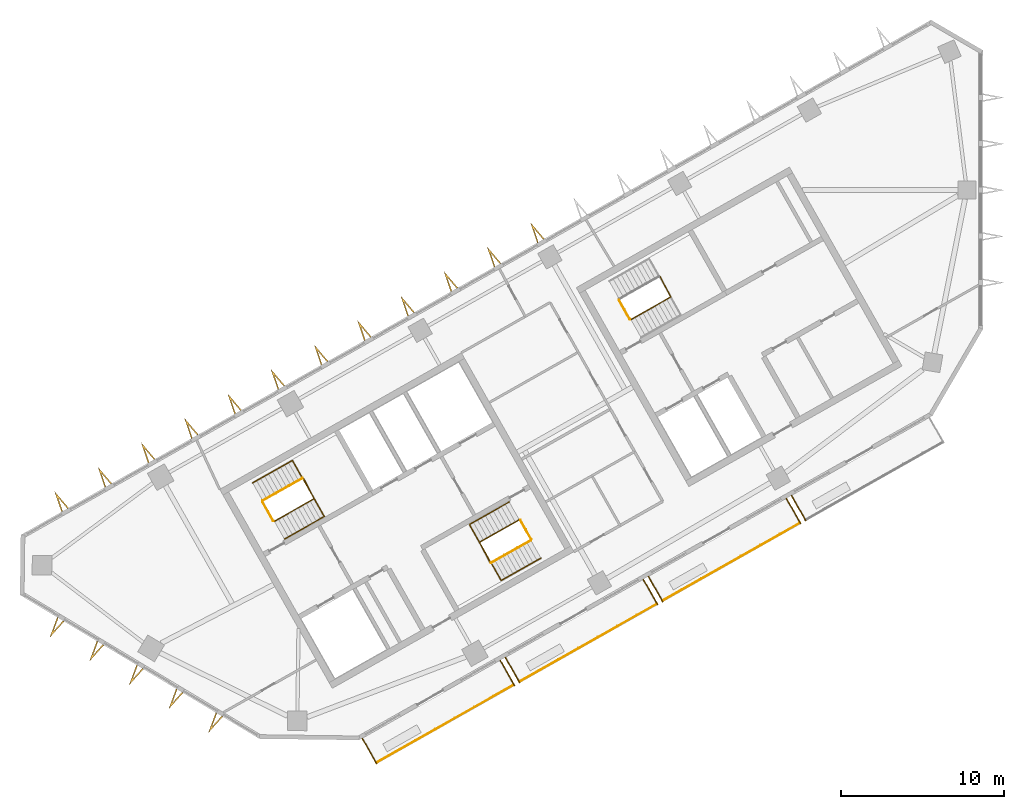
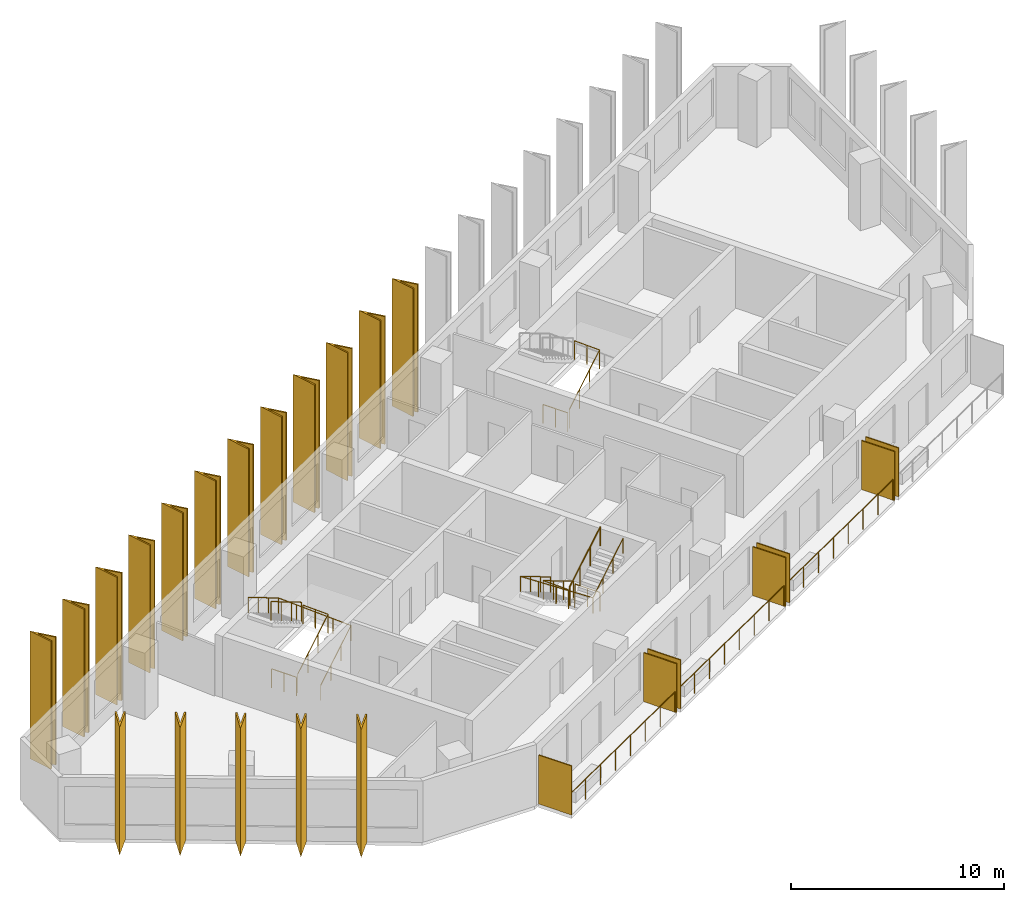
# One storey, part 6 of 8: 24 shading devices, 13 railings.
"""IFC4 building model written with IfcOpenShell, lengths in metres."""

from ifc_helpers import new_model, si_unit, direction, frame, origin, origin_2d, place, context, subcontext, project, spatial, polyline, rectangle, circle, outline, extrude, material, layer, layer_set, type_object, element, save


model = new_model("IFC4")

# Units and contexts
model_context = context("Model", 3, precision=1e-05, world=origin(), true_north=direction((0.0, 1.0)))
body_context = subcontext(model_context, "Body", "Model", "MODEL_VIEW")
ifc_project = project(units=[si_unit("LENGTHUNIT", "METRE"), si_unit("AREAUNIT", "SQUARE_METRE"), si_unit("VOLUMEUNIT", "CUBIC_METRE"), si_unit("PLANEANGLEUNIT", "RADIAN"), si_unit("MASSUNIT", "GRAM", prefix="KILO")], contexts=[model_context])

# Site, building, storey
site_placement = place(None, origin())
site = spatial("IfcSite", under=ifc_project, at=site_placement, CompositionType="ELEMENT")
building_placement = place(site_placement, origin())
building = spatial("IfcBuilding", under=site, at=building_placement, Name="Binnacle Exchange Tower", CompositionType="ELEMENT")
storey_placement = place(building_placement, frame((0.0, 0.0, 270.300048828125)))
storey = spatial("IfcBuildingStorey", under=building, at=storey_placement, Name="L60", CompositionType="ELEMENT", Elevation=270.300048828125)

# Railings
ifc_material_1 = material(Name="Bronze anodised aluminium frame", Category="aluminium")
railing_type_1 = type_object("IfcRailingType", Name="GUARD 1200", PredefinedType="GUARDRAIL", material=ifc_material_1)
for number, where, name in (
    (1, (-37.006591796875, 24.94287109375, 0.0), "Balcony guard H07-B00 L60"),
    (2, (-28.24365234375, 29.900634765625, 0.0), "Balcony guard H07-B01 L60"),
):
    element("IfcRailing", number, at=place(storey_placement, frame(where)), inside=storey, type_object=railing_type_1, Name=name, PredefinedType="GUARDRAIL", context=body_context, shape_type="SweptSolid", body=[
        extrude(circle(Radius=0.02392578125, at=origin_2d()), frame((0.0, 0.0, 1.17578125), z_axis=(0.870359171481, 0.492417417055, 0.0), x_axis=(-0.492417417055, 0.870359171481, 0.0)), (0.0, 0.0, 1.0), 9.648193359375),
        extrude(circle(Radius=0.02099609375, at=origin_2d()), origin(), (0.0, 0.0, 1.0), 1.15185546875),
        extrude(circle(Radius=0.02099609375, at=origin_2d()), frame((1.19970703125, 0.6787109375, 0.0)), (0.0, 0.0, 1.0), 1.15185546875),
        extrude(circle(Radius=0.02099609375, at=origin_2d()), frame((2.399169921875, 1.357421875, 0.0)), (0.0, 0.0, 1.0), 1.15185546875),
        extrude(circle(Radius=0.02099609375, at=origin_2d()), frame((3.598876953125, 2.0361328125, 0.0)), (0.0, 0.0, 1.0), 1.15185546875),
        extrude(circle(Radius=0.02099609375, at=origin_2d()), frame((4.798583984375, 2.71484375, 0.0)), (0.0, 0.0, 1.0), 1.15185546875),
        extrude(circle(Radius=0.02099609375, at=origin_2d()), frame((5.998291015625, 3.3935546875, 0.0)), (0.0, 0.0, 1.0), 1.15185546875),
        extrude(circle(Radius=0.02099609375, at=origin_2d()), frame((7.19775390625, 4.072265625, 0.0)), (0.0, 0.0, 1.0), 1.15185546875),
        extrude(circle(Radius=0.02099609375, at=origin_2d()), frame((8.3974609375, 4.7509765625, 0.0)), (0.0, 0.0, 1.0), 1.15185546875),
    ])
railing_1_placement = place(storey_placement, frame((-19.480712890625, 34.8583984375, 0.0)))
element("IfcRailing", 3, at=railing_1_placement, inside=storey, type_object=railing_type_1, Name="Balcony guard H07-B02 L60", PredefinedType="GUARDRAIL", context=body_context, shape_type="SweptSolid", body=[
    extrude(circle(Radius=0.02392578125, at=origin_2d()), frame((0.0, 0.0, 1.17578125), z_axis=(0.870342190373, 0.492447430349, 0.0), x_axis=(-0.492447430349, 0.870342190373, 0.0)), (0.0, 0.0, 1.0), 9.648193359375),
    extrude(circle(Radius=0.02099609375, at=origin_2d()), origin(), (0.0, 0.0, 1.0), 1.15185546875),
    extrude(circle(Radius=0.02099609375, at=origin_2d()), frame((1.19970703125, 0.6787109375, 0.0)), (0.0, 0.0, 1.0), 1.15185546875),
    extrude(circle(Radius=0.02099609375, at=origin_2d()), frame((2.399169921875, 1.357421875, 0.0)), (0.0, 0.0, 1.0), 1.15185546875),
    extrude(circle(Radius=0.02099609375, at=origin_2d()), frame((3.598876953125, 2.0361328125, 0.0)), (0.0, 0.0, 1.0), 1.15185546875),
    extrude(circle(Radius=0.02099609375, at=origin_2d()), frame((4.79833984375, 2.715087890625, 0.0)), (0.0, 0.0, 1.0), 1.15185546875),
    extrude(circle(Radius=0.02099609375, at=origin_2d()), frame((5.998046875, 3.393798828125, 0.0)), (0.0, 0.0, 1.0), 1.15185546875),
    extrude(circle(Radius=0.02099609375, at=origin_2d()), frame((7.197509765625, 4.072509765625, 0.0)), (0.0, 0.0, 1.0), 1.15185546875),
    extrude(circle(Radius=0.02099609375, at=origin_2d()), frame((8.397216796875, 4.751220703125, 0.0)), (0.0, 0.0, 1.0), 1.15185546875),
])

# Shading devices
ifc_material_2 = material(Name="Bronze aluminium louvre", Category="aluminium")
ifc_layer = layer(ifc_material_2, 0.06005859375)
ifc_layer_set = layer_set([ifc_layer], Name="PLANTED SCREEN 60x2800")
shading_device_type_1 = type_object("IfcShadingDeviceType", Name="PLANTED SCREEN 60x2800", PredefinedType="USERDEFINED", material=ifc_layer_set)
for number, where, z_axis, x_axis, name in (
    (4, (-37.436279296875, 25.641845703125, 0.0), (0.0, 0.0, 1.0), (0.87035569594, 0.492423560103, 0.0), "Planted screen H07-B00a L60"),
    (5, (-28.98681640625, 30.42236328125, 0.0), (0.0, 0.0, 1.0), (0.87035569594, 0.492423560103, 0.0), "Planted screen H07-B00b L60"),
    (6, (-28.673583984375, 30.599609375, 0.0), (0.0, 0.0, 1.0), (0.87035569594, 0.492423560103, 0.0), "Planted screen H07-B01a L60"),
    (7, (-20.223876953125, 35.380126953125, 0.0), (0.0, 0.0, 1.0), (0.87035569594, 0.492423560103, 0.0), "Planted screen H07-B01b L60"),
    (8, (-19.91064453125, 35.5576171875, 0.0), (0.0, 0.0, 1.0), (0.87035569594, 0.492423560103, 0.0), "Planted screen H07-B02a L60"),
    (9, (-11.461181640625, 40.337890625, 0.0), (0.0, 0.0, 1.0), (0.87035569594, 0.492423560103, 0.0), "Planted screen H07-B02b L60"),
    (10, (-11.147705078125, 40.51513671875, 0.0), (0.0, 0.0, 1.0), (0.87035569594, 0.492423560103, 0.0), "Planted screen H07-B03a L60"),
):
    element("IfcShadingDevice", number, at=place(storey_placement, frame(where, z_axis=z_axis, x_axis=x_axis)), inside=storey, type_object=shading_device_type_1, Name=name, ObjectType="SCREEN", PredefinedType="USERDEFINED", context=body_context, shape_type="SweptSolid", body=[
        extrude(rectangle(XDim=0.06005859375, YDim=1.800048828125, at=origin_2d()), origin(), (0.0, 0.0, 1.0), 2.800048828125),
    ])

# Railings
ifc_material_3 = material(Name="Steel guard rail", Category="steel")
railing_type_2 = type_object("IfcRailingType", Name="STAIR GUARD 1100", PredefinedType="GUARDRAIL", material=ifc_material_3)
railing_2_placement = place(storey_placement, frame((-43.26171875, 39.71728515625, 0.172607421875)))
element("IfcRailing", 11, at=railing_2_placement, inside=storey, type_object=railing_type_2, Name="L60 STA1 stair guard 1", PredefinedType="GUARDRAIL", context=body_context, shape_type="SweptSolid", body=[
    extrude(circle(Radius=0.02392578125, at=origin_2d()), frame((0.0, 0.0, 1.076171875), z_axis=(0.740737961854, 0.419123222656, 0.525017138862), x_axis=(-0.492453686477, 0.870338650569, 0.0)), (0.0, 0.0, 1.0), 3.2900390625),
    extrude(circle(Radius=0.02392578125, at=origin_2d()), frame((2.43701171875, 1.37890625, 2.80322265625), z_axis=(-0.461100321709, 0.887348011391, 0.0), x_axis=(-0.887348011391, -0.461100321709, 0.0)), (0.0, 0.0, 1.0), 1.40087890625),
    extrude(circle(Radius=0.02099609375, at=origin_2d()), origin(), (0.0, 0.0, 1.0), 1.052001953125),
    extrude(circle(Radius=0.02099609375, at=origin_2d()), frame((0.812255859375, 0.459716796875, 0.57568359375)), (0.0, 0.0, 1.0), 1.052001953125),
    extrude(circle(Radius=0.02099609375, at=origin_2d()), frame((1.624755859375, 0.919189453125, 1.151611328125)), (0.0, 0.0, 1.0), 1.052001953125),
    extrude(circle(Radius=0.02099609375, at=origin_2d()), frame((2.43701171875, 1.37890625, 1.727294921875)), (0.0, 0.0, 1.0), 1.052001953125),
    extrude(circle(Radius=0.02099609375, at=origin_2d()), frame((2.114013671875, 2.00048828125, 1.727294921875)), (0.0, 0.0, 1.0), 1.052001953125),
    extrude(circle(Radius=0.02099609375, at=origin_2d()), frame((1.791015625, 2.6220703125, 1.727294921875)), (0.0, 0.0, 1.0), 1.052001953125),
])
railing_3_placement = place(storey_placement, frame((-41.538818359375, 42.358154296875, 2.07275390625)))
element("IfcRailing", 12, at=railing_3_placement, inside=storey, type_object=railing_type_2, Name="L60 STA1 stair guard 2", PredefinedType="GUARDRAIL", context=body_context, shape_type="SweptSolid", body=[
    extrude(circle(Radius=0.02392578125, at=origin_2d()), frame((0.0, 0.0, 1.076171875), z_axis=(-0.740737961854, -0.419123222656, 0.525017138862), x_axis=(0.492453686477, -0.870338650569, 0.0)), (0.0, 0.0, 1.0), 3.2900390625),
    extrude(circle(Radius=0.02099609375, at=origin_2d()), origin(), (0.0, 0.0, 1.0), 1.052001953125),
    extrude(circle(Radius=0.02099609375, at=origin_2d()), frame((-0.812255859375, -0.459716796875, 0.57568359375)), (0.0, 0.0, 1.0), 1.052001953125),
    extrude(circle(Radius=0.02099609375, at=origin_2d()), frame((-1.624755859375, -0.919189453125, 1.151611328125)), (0.0, 0.0, 1.0), 1.052001953125),
    extrude(circle(Radius=0.02099609375, at=origin_2d()), frame((-2.43701171875, -1.37890625, 1.727294921875)), (0.0, 0.0, 1.0), 1.052001953125),
])
railing_4_placement = place(storey_placement, frame((-43.329833984375, 39.736328125, 0.0)))
element("IfcRailing", 13, at=railing_4_placement, inside=storey, type_object=railing_type_2, Name="L60 STA1 stair guard 3", PredefinedType="GUARDRAIL", context=body_context, shape_type="SweptSolid", body=[
    extrude(circle(Radius=0.02392578125, at=origin_2d()), frame((0.0, 0.0, 1.076171875), z_axis=(-0.4924922531, 0.870316827734, 0.0), x_axis=(-0.870316827734, -0.4924922531, 0.0)), (0.0, 0.0, 1.0), 1.349853515625),
    extrude(circle(Radius=0.02099609375, at=origin_2d()), origin(), (0.0, 0.0, 1.0), 1.052001953125),
    extrude(circle(Radius=0.02099609375, at=origin_2d()), frame((-0.33251953125, 0.58740234375, 0.0)), (0.0, 0.0, 1.0), 1.052001953125),
    extrude(circle(Radius=0.02099609375, at=origin_2d()), frame((-0.664794921875, 1.1748046875, 0.0)), (0.0, 0.0, 1.0), 1.052001953125),
])
railing_5_placement = place(storey_placement, frame((-28.265380859375, 39.814453125, 0.172607421875)))
element("IfcRailing", 14, at=railing_5_placement, inside=storey, type_object=railing_type_2, Name="L60 STA2 stair guard 1", PredefinedType="GUARDRAIL", context=body_context, shape_type="SweptSolid", body=[
    extrude(circle(Radius=0.02392578125, at=origin_2d()), frame((0.0, 0.0, 1.076171875), z_axis=(-0.740760999345, -0.419062048017, 0.525033467278), x_axis=(0.492387636113, -0.870376019777, 0.0)), (0.0, 0.0, 1.0), 3.289794921875),
    extrude(circle(Radius=0.02392578125, at=origin_2d()), frame((-2.43701171875, -1.378662109375, 2.80322265625), z_axis=(0.460963092712, -0.887419307406, 0.0), x_axis=(0.887419307406, 0.460963092712, 0.0)), (0.0, 0.0, 1.0), 1.40087890625),
    extrude(circle(Radius=0.02099609375, at=origin_2d()), origin(), (0.0, 0.0, 1.0), 1.052001953125),
    extrude(circle(Radius=0.02099609375, at=origin_2d()), frame((-0.812255859375, -0.45947265625, 0.57568359375)), (0.0, 0.0, 1.0), 1.052001953125),
    extrude(circle(Radius=0.02099609375, at=origin_2d()), frame((-1.624755859375, -0.919189453125, 1.151611328125)), (0.0, 0.0, 1.0), 1.052001953125),
    extrude(circle(Radius=0.02099609375, at=origin_2d()), frame((-2.43701171875, -1.378662109375, 1.727294921875)), (0.0, 0.0, 1.0), 1.052001953125),
    extrude(circle(Radius=0.02099609375, at=origin_2d()), frame((-2.1142578125, -2.000244140625, 1.727294921875)), (0.0, 0.0, 1.0), 1.052001953125),
    extrude(circle(Radius=0.02099609375, at=origin_2d()), frame((-1.791259765625, -2.621826171875, 1.727294921875)), (0.0, 0.0, 1.0), 1.052001953125),
])
railing_6_placement = place(storey_placement, frame((-29.988525390625, 37.173583984375, 2.07275390625)))
element("IfcRailing", 15, at=railing_6_placement, inside=storey, type_object=railing_type_2, Name="L60 STA2 stair guard 2", PredefinedType="GUARDRAIL", context=body_context, shape_type="SweptSolid", body=[
    extrude(circle(Radius=0.02392578125, at=origin_2d()), frame((0.0, 0.0, 1.076171875), z_axis=(0.740737961854, 0.419123222656, 0.525017138862), x_axis=(-0.492453686477, 0.870338650569, 0.0)), (0.0, 0.0, 1.0), 3.2900390625),
    extrude(circle(Radius=0.02099609375, at=origin_2d()), origin(), (0.0, 0.0, 1.0), 1.052001953125),
    extrude(circle(Radius=0.02099609375, at=origin_2d()), frame((0.812255859375, 0.459716796875, 0.57568359375)), (0.0, 0.0, 1.0), 1.052001953125),
    extrude(circle(Radius=0.02099609375, at=origin_2d()), frame((1.624755859375, 0.919189453125, 1.151611328125)), (0.0, 0.0, 1.0), 1.052001953125),
    extrude(circle(Radius=0.02099609375, at=origin_2d()), frame((2.43701171875, 1.37890625, 1.727294921875)), (0.0, 0.0, 1.0), 1.052001953125),
])
railing_7_placement = place(storey_placement, frame((-28.197265625, 39.795654296875, 0.0)))
element("IfcRailing", 16, at=railing_7_placement, inside=storey, type_object=railing_type_2, Name="L60 STA2 stair guard 3", PredefinedType="GUARDRAIL", context=body_context, shape_type="SweptSolid", body=[
    extrude(circle(Radius=0.02392578125, at=origin_2d()), frame((0.0, 0.0, 1.076171875), z_axis=(0.49241474071, -0.870360685654, 0.0), x_axis=(0.870360685654, 0.49241474071, 0.0)), (0.0, 0.0, 1.0), 1.35009765625),
    extrude(circle(Radius=0.02099609375, at=origin_2d()), origin(), (0.0, 0.0, 1.0), 1.052001953125),
    extrude(circle(Radius=0.02099609375, at=origin_2d()), frame((0.33251953125, -0.58740234375, 0.0)), (0.0, 0.0, 1.0), 1.052001953125),
    extrude(circle(Radius=0.02099609375, at=origin_2d()), frame((0.664794921875, -1.175048828125, 0.0)), (0.0, 0.0, 1.0), 1.052001953125),
])
railing_8_placement = place(storey_placement, frame((-21.423828125, 52.07275390625, 0.172607421875)))
element("IfcRailing", 17, at=railing_8_placement, inside=storey, type_object=railing_type_2, Name="L60 STC1 stair guard 1", PredefinedType="GUARDRAIL", context=body_context, shape_type="SweptSolid", body=[
    extrude(circle(Radius=0.02392578125, at=origin_2d()), frame((0.0, 0.0, 1.076171875), z_axis=(0.740760999345, 0.419062048017, 0.525033467278), x_axis=(-0.492387636113, 0.870376019777, 0.0)), (0.0, 0.0, 1.0), 3.289794921875),
    extrude(circle(Radius=0.02392578125, at=origin_2d()), frame((2.43701171875, 1.378662109375, 2.80322265625), z_axis=(-0.460963092712, 0.887419307406, 0.0), x_axis=(-0.887419307406, -0.460963092712, 0.0)), (0.0, 0.0, 1.0), 1.40087890625),
    extrude(circle(Radius=0.02099609375, at=origin_2d()), origin(), (0.0, 0.0, 1.0), 1.052001953125),
    extrude(circle(Radius=0.02099609375, at=origin_2d()), frame((0.812255859375, 0.45947265625, 0.57568359375)), (0.0, 0.0, 1.0), 1.052001953125),
    extrude(circle(Radius=0.02099609375, at=origin_2d()), frame((1.624755859375, 0.919189453125, 1.151611328125)), (0.0, 0.0, 1.0), 1.052001953125),
    extrude(circle(Radius=0.02099609375, at=origin_2d()), frame((2.43701171875, 1.378662109375, 1.727294921875)), (0.0, 0.0, 1.0), 1.052001953125),
    extrude(circle(Radius=0.02099609375, at=origin_2d()), frame((2.1142578125, 2.000244140625, 1.727294921875)), (0.0, 0.0, 1.0), 1.052001953125),
    extrude(circle(Radius=0.02099609375, at=origin_2d()), frame((1.791259765625, 2.621826171875, 1.727294921875)), (0.0, 0.0, 1.0), 1.052001953125),
])
railing_9_placement = place(storey_placement, frame((-21.491943359375, 52.091552734375, 0.0)))
element("IfcRailing", 18, at=railing_9_placement, inside=storey, type_object=railing_type_2, Name="L60 STC1 stair guard 3", PredefinedType="GUARDRAIL", context=body_context, shape_type="SweptSolid", body=[
    extrude(circle(Radius=0.02392578125, at=origin_2d()), frame((0.0, 0.0, 1.076171875), z_axis=(-0.49241474071, 0.870360685654, 0.0), x_axis=(-0.870360685654, -0.49241474071, 0.0)), (0.0, 0.0, 1.0), 1.35009765625),
    extrude(circle(Radius=0.02099609375, at=origin_2d()), origin(), (0.0, 0.0, 1.0), 1.052001953125),
    extrude(circle(Radius=0.02099609375, at=origin_2d()), frame((-0.33251953125, 0.58740234375, 0.0)), (0.0, 0.0, 1.0), 1.052001953125),
    extrude(circle(Radius=0.02099609375, at=origin_2d()), frame((-0.664794921875, 1.175048828125, 0.0)), (0.0, 0.0, 1.0), 1.052001953125),
])
ifc_material_4 = material(Name="Steel handrail", Category="steel")
railing_type_3 = type_object("IfcRailingType", Name="STAIR HANDRAIL 900", PredefinedType="HANDRAIL", material=ifc_material_4)
railing_10_placement = place(storey_placement, frame((-42.646240234375, 38.62939453125, 0.172607421875)))
element("IfcRailing", 19, at=railing_10_placement, inside=storey, type_object=railing_type_3, Name="L60 STA1 stair handrail 1", PredefinedType="HANDRAIL", context=body_context, shape_type="SweptSolid", body=[
    extrude(circle(Radius=0.02392578125, at=origin_2d()), frame((0.0, 0.0, 0.8759765625), z_axis=(0.740760999345, 0.419062048017, 0.525033467278), x_axis=(-0.492387636113, 0.870376019777, 0.0)), (0.0, 0.0, 1.0), 3.289794921875),
    extrude(circle(Radius=0.02392578125, at=origin_2d()), frame((2.43701171875, 1.378662109375, 2.60302734375), z_axis=(-0.491942846455, 0.869529203437, 0.043717275673), x_axis=(-0.870361318571, -0.492413622004, 0.0)), (0.0, 0.0, 1.0), 3.953857421875),
    extrude(circle(Radius=0.02392578125, at=origin_2d()), frame((0.491943359375, 4.816650390625, 2.77587890625), z_axis=(-0.740760999345, -0.419062048017, 0.525033467278), x_axis=(0.492387636113, -0.870376019777, 0.0)), (0.0, 0.0, 1.0), 3.289794921875),
    extrude(circle(Radius=0.02099609375, at=origin_2d()), origin(), (0.0, 0.0, 1.0), 0.851806640625),
    extrude(circle(Radius=0.02099609375, at=origin_2d()), frame((0.812255859375, 0.45947265625, 0.57568359375)), (0.0, 0.0, 1.0), 0.851806640625),
    extrude(circle(Radius=0.02099609375, at=origin_2d()), frame((1.624755859375, 0.919189453125, 1.151611328125)), (0.0, 0.0, 1.0), 0.851806640625),
    extrude(circle(Radius=0.02099609375, at=origin_2d()), frame((2.43701171875, 1.378662109375, 1.727294921875)), (0.0, 0.0, 1.0), 0.851806640625),
    extrude(circle(Radius=0.02099609375, at=origin_2d()), frame((1.95068359375, 2.23828125, 1.7705078125)), (0.0, 0.0, 1.0), 0.851806640625),
    extrude(circle(Radius=0.02099609375, at=origin_2d()), frame((1.46435546875, 3.09765625, 1.813720703125)), (0.0, 0.0, 1.0), 0.851806640625),
    extrude(circle(Radius=0.02099609375, at=origin_2d()), frame((0.978271484375, 3.95703125, 1.85693359375)), (0.0, 0.0, 1.0), 0.851806640625),
    extrude(circle(Radius=0.02099609375, at=origin_2d()), frame((0.491943359375, 4.816650390625, 1.900146484375)), (0.0, 0.0, 1.0), 0.851806640625),
    extrude(circle(Radius=0.02099609375, at=origin_2d()), frame((-0.3203125, 4.357177734375, 2.475830078125)), (0.0, 0.0, 1.0), 0.851806640625),
    extrude(circle(Radius=0.02099609375, at=origin_2d()), frame((-1.1328125, 3.8974609375, 3.0517578125)), (0.0, 0.0, 1.0), 0.851806640625),
    extrude(circle(Radius=0.02099609375, at=origin_2d()), frame((-1.945068359375, 3.43798828125, 3.62744140625)), (0.0, 0.0, 1.0), 0.851806640625),
])
railing_11_placement = place(storey_placement, frame((-28.880859375, 40.90234375, 0.172607421875)))
element("IfcRailing", 20, at=railing_11_placement, inside=storey, type_object=railing_type_3, Name="L60 STA2 stair handrail 1", PredefinedType="HANDRAIL", context=body_context, shape_type="SweptSolid", body=[
    extrude(circle(Radius=0.02392578125, at=origin_2d()), frame((0.0, 0.0, 0.8759765625), z_axis=(-0.740760999345, -0.419062048017, 0.525033467278), x_axis=(0.492387636113, -0.870376019777, 0.0)), (0.0, 0.0, 1.0), 3.289794921875),
    extrude(circle(Radius=0.02392578125, at=origin_2d()), frame((-2.43701171875, -1.378662109375, 2.60302734375), z_axis=(0.491942846455, -0.869529203437, 0.043717275673), x_axis=(0.870361318571, 0.492413622004, 0.0)), (0.0, 0.0, 1.0), 3.953857421875),
    extrude(circle(Radius=0.02392578125, at=origin_2d()), frame((-0.491943359375, -4.816650390625, 2.77587890625), z_axis=(0.740737961854, 0.419123222656, 0.525017138862), x_axis=(-0.492453686477, 0.870338650569, 0.0)), (0.0, 0.0, 1.0), 3.2900390625),
    extrude(circle(Radius=0.02099609375, at=origin_2d()), origin(), (0.0, 0.0, 1.0), 0.851806640625),
    extrude(circle(Radius=0.02099609375, at=origin_2d()), frame((-0.812255859375, -0.45947265625, 0.57568359375)), (0.0, 0.0, 1.0), 0.851806640625),
    extrude(circle(Radius=0.02099609375, at=origin_2d()), frame((-1.624755859375, -0.919189453125, 1.151611328125)), (0.0, 0.0, 1.0), 0.851806640625),
    extrude(circle(Radius=0.02099609375, at=origin_2d()), frame((-2.43701171875, -1.378662109375, 1.727294921875)), (0.0, 0.0, 1.0), 0.851806640625),
    extrude(circle(Radius=0.02099609375, at=origin_2d()), frame((-1.95068359375, -2.23828125, 1.7705078125)), (0.0, 0.0, 1.0), 0.851806640625),
    extrude(circle(Radius=0.02099609375, at=origin_2d()), frame((-1.46435546875, -3.09765625, 1.813720703125)), (0.0, 0.0, 1.0), 0.851806640625),
    extrude(circle(Radius=0.02099609375, at=origin_2d()), frame((-0.978271484375, -3.95703125, 1.85693359375)), (0.0, 0.0, 1.0), 0.851806640625),
    extrude(circle(Radius=0.02099609375, at=origin_2d()), frame((-0.491943359375, -4.816650390625, 1.900146484375)), (0.0, 0.0, 1.0), 0.851806640625),
    extrude(circle(Radius=0.02099609375, at=origin_2d()), frame((0.3203125, -4.35693359375, 2.475830078125)), (0.0, 0.0, 1.0), 0.851806640625),
    extrude(circle(Radius=0.02099609375, at=origin_2d()), frame((1.1328125, -3.8974609375, 3.0517578125)), (0.0, 0.0, 1.0), 0.851806640625),
    extrude(circle(Radius=0.02099609375, at=origin_2d()), frame((1.945068359375, -3.437744140625, 3.62744140625)), (0.0, 0.0, 1.0), 0.851806640625),
])

# Shading devices
ifc_material_5 = material(Name="Bronze aluminium cladding", Category="aluminium")
shading_device_type_2 = type_object("IfcShadingDeviceType", Name="V FIN 1300 DEEP x 7320 HIGH", PredefinedType="USERDEFINED", material=ifc_material_5)
shading_device_1_placement = place(storey_placement, origin())
element("IfcShadingDevice", 21, at=shading_device_1_placement, inside=storey, type_object=shading_device_type_2, Name="V fin FN-H03-09 L60", ObjectType="FIN", PredefinedType="USERDEFINED", context=body_context, shape_type="SweptSolid", body=[
    extrude(outline(polyline([(-26.72900390625, 57.02099609375), (-27.586669921875, 58.029541015625), (-27.1640625, 56.77490234375), (-27.09326171875, 56.81494140625), (-27.3779296875, 57.660888671875), (-26.7998046875, 56.98095703125), (-26.72900390625, 57.02099609375)])), origin(), (0.0, 0.0, 1.0), 7.320068359375),
])
shading_device_2_placement = place(storey_placement, origin())
element("IfcShadingDevice", 22, at=shading_device_2_placement, inside=storey, type_object=shading_device_type_2, Name="V fin FN-H03-10 L60", ObjectType="FIN", PredefinedType="USERDEFINED", context=body_context, shape_type="SweptSolid", body=[
    extrude(outline(polyline([(-29.377685546875, 55.5224609375), (-30.2353515625, 56.531005859375), (-29.812744140625, 55.2763671875), (-29.741943359375, 55.31640625), (-30.026611328125, 56.162109375), (-29.448486328125, 55.482421875), (-29.377685546875, 55.5224609375)])), origin(), (0.0, 0.0, 1.0), 7.320068359375),
])
shading_device_3_placement = place(storey_placement, origin())
element("IfcShadingDevice", 23, at=shading_device_3_placement, inside=storey, type_object=shading_device_type_2, Name="V fin FN-H03-11 L60", ObjectType="FIN", PredefinedType="USERDEFINED", context=body_context, shape_type="SweptSolid", body=[
    extrude(outline(polyline([(-32.0263671875, 54.02392578125), (-32.884033203125, 55.032470703125), (-32.46142578125, 53.77783203125), (-32.390625, 53.81787109375), (-32.67529296875, 54.663818359375), (-32.09716796875, 53.98388671875), (-32.0263671875, 54.02392578125)])), origin(), (0.0, 0.0, 1.0), 7.320068359375),
])
shading_device_4_placement = place(storey_placement, origin())
element("IfcShadingDevice", 24, at=shading_device_4_placement, inside=storey, type_object=shading_device_type_2, Name="V fin FN-H03-12 L60", ObjectType="FIN", PredefinedType="USERDEFINED", context=body_context, shape_type="SweptSolid", body=[
    extrude(outline(polyline([(-34.675048828125, 52.525390625), (-35.53271484375, 53.53369140625), (-35.110107421875, 52.279296875), (-35.039306640625, 52.3193359375), (-35.32421875, 53.1650390625), (-34.745849609375, 52.4853515625), (-34.675048828125, 52.525390625)])), origin(), (0.0, 0.0, 1.0), 7.320068359375),
])
shading_device_5_placement = place(storey_placement, origin())
element("IfcShadingDevice", 25, at=shading_device_5_placement, inside=storey, type_object=shading_device_type_2, Name="V fin FN-H03-13 L60", ObjectType="FIN", PredefinedType="USERDEFINED", context=body_context, shape_type="SweptSolid", body=[
    extrude(outline(polyline([(-37.32373046875, 51.02685546875), (-38.181640625, 52.03515625), (-37.759033203125, 50.780517578125), (-37.68798828125, 50.82080078125), (-37.972900390625, 51.66650390625), (-37.394775390625, 50.98681640625), (-37.32373046875, 51.02685546875)])), origin(), (0.0, 0.0, 1.0), 7.320068359375),
])
shading_device_6_placement = place(storey_placement, origin())
element("IfcShadingDevice", 26, at=shading_device_6_placement, inside=storey, type_object=shading_device_type_2, Name="V fin FN-H03-14 L60", ObjectType="FIN", PredefinedType="USERDEFINED", context=body_context, shape_type="SweptSolid", body=[
    extrude(outline(polyline([(-39.972412109375, 49.5283203125), (-40.830322265625, 50.53662109375), (-40.40771484375, 49.281982421875), (-40.3369140625, 49.322021484375), (-40.62158203125, 50.16796875), (-40.04345703125, 49.488037109375), (-39.972412109375, 49.5283203125)])), origin(), (0.0, 0.0, 1.0), 7.320068359375),
])
shading_device_7_placement = place(storey_placement, origin())
element("IfcShadingDevice", 27, at=shading_device_7_placement, inside=storey, type_object=shading_device_type_2, Name="V fin FN-H03-15 L60", ObjectType="FIN", PredefinedType="USERDEFINED", context=body_context, shape_type="SweptSolid", body=[
    extrude(outline(polyline([(-42.621337890625, 48.029541015625), (-43.47900390625, 49.0380859375), (-43.056396484375, 47.783447265625), (-42.985595703125, 47.823486328125), (-43.2705078125, 48.669189453125), (-42.692138671875, 47.989501953125), (-42.621337890625, 48.029541015625)])), origin(), (0.0, 0.0, 1.0), 7.320068359375),
])
shading_device_8_placement = place(storey_placement, origin())
element("IfcShadingDevice", 28, at=shading_device_8_placement, inside=storey, type_object=shading_device_type_2, Name="V fin FN-H03-16 L60", ObjectType="FIN", PredefinedType="USERDEFINED", context=body_context, shape_type="SweptSolid", body=[
    extrude(outline(polyline([(-45.27001953125, 46.531005859375), (-46.127685546875, 47.539306640625), (-45.705078125, 46.284912109375), (-45.63427734375, 46.324951171875), (-45.919189453125, 47.170654296875), (-45.3408203125, 46.490966796875), (-45.27001953125, 46.531005859375)])), origin(), (0.0, 0.0, 1.0), 7.320068359375),
])
shading_device_9_placement = place(storey_placement, origin())
element("IfcShadingDevice", 29, at=shading_device_9_placement, inside=storey, type_object=shading_device_type_2, Name="V fin FN-H03-17 L60", ObjectType="FIN", PredefinedType="USERDEFINED", context=body_context, shape_type="SweptSolid", body=[
    extrude(outline(polyline([(-47.918701171875, 45.032470703125), (-48.776611328125, 46.040771484375), (-48.35400390625, 44.7861328125), (-48.283203125, 44.826416015625), (-48.56787109375, 45.672119140625), (-47.98974609375, 44.9921875), (-47.918701171875, 45.032470703125)])), origin(), (0.0, 0.0, 1.0), 7.320068359375),
])
shading_device_10_placement = place(storey_placement, origin())
element("IfcShadingDevice", 30, at=shading_device_10_placement, inside=storey, type_object=shading_device_type_2, Name="V fin FN-H03-18 L60", ObjectType="FIN", PredefinedType="USERDEFINED", context=body_context, shape_type="SweptSolid", body=[
    extrude(outline(polyline([(-50.5673828125, 43.533935546875), (-51.42529296875, 44.542236328125), (-51.002685546875, 43.28759765625), (-50.931884765625, 43.327880859375), (-51.216552734375, 44.173583984375), (-50.638427734375, 43.493896484375), (-50.5673828125, 43.533935546875)])), origin(), (0.0, 0.0, 1.0), 7.320068359375),
])
shading_device_11_placement = place(storey_placement, origin())
element("IfcShadingDevice", 31, at=shading_device_11_placement, inside=storey, type_object=shading_device_type_2, Name="V fin FN-H03-19 L60", ObjectType="FIN", PredefinedType="USERDEFINED", context=body_context, shape_type="SweptSolid", body=[
    extrude(outline(polyline([(-53.21630859375, 42.035400390625), (-54.073974609375, 43.043701171875), (-53.6513671875, 41.7890625), (-53.58056640625, 41.8291015625), (-53.865234375, 42.675048828125), (-53.287109375, 41.9951171875), (-53.21630859375, 42.035400390625)])), origin(), (0.0, 0.0, 1.0), 7.320068359375),
])
shading_device_12_placement = place(storey_placement, origin())
element("IfcShadingDevice", 32, at=shading_device_12_placement, inside=storey, type_object=shading_device_type_2, Name="V fin FN-H03-20 L60", ObjectType="FIN", PredefinedType="USERDEFINED", context=body_context, shape_type="SweptSolid", body=[
    extrude(outline(polyline([(-55.864990234375, 40.53662109375), (-56.722900390625, 41.545166015625), (-56.30029296875, 40.29052734375), (-56.229248046875, 40.33056640625), (-56.51416015625, 41.176513671875), (-55.935791015625, 40.49658203125), (-55.864990234375, 40.53662109375)])), origin(), (0.0, 0.0, 1.0), 7.320068359375),
])
shading_device_13_placement = place(storey_placement, origin())
element("IfcShadingDevice", 33, at=shading_device_13_placement, inside=storey, type_object=shading_device_type_2, Name="V fin FN-H05-01 L60", ObjectType="FIN", PredefinedType="USERDEFINED", context=body_context, shape_type="SweptSolid", body=[
    extrude(outline(polyline([(-56.566162109375, 33.842529296875), (-57.021240234375, 32.599365234375), (-56.137451171875, 33.5849609375), (-56.207275390625, 33.626953125), (-56.80322265625, 32.96240234375), (-56.496337890625, 33.800537109375), (-56.566162109375, 33.842529296875)])), origin(), (0.0, 0.0, 1.0), 7.320068359375),
])
shading_device_14_placement = place(storey_placement, origin())
element("IfcShadingDevice", 34, at=shading_device_14_placement, inside=storey, type_object=shading_device_type_2, Name="V fin FN-H05-02 L60", ObjectType="FIN", PredefinedType="USERDEFINED", context=body_context, shape_type="SweptSolid", body=[
    extrude(outline(polyline([(-54.137451171875, 32.38330078125), (-54.592529296875, 31.14013671875), (-53.708740234375, 32.12548828125), (-53.778564453125, 32.16748046875), (-54.37451171875, 31.503173828125), (-54.067626953125, 32.34130859375), (-54.137451171875, 32.38330078125)])), origin(), (0.0, 0.0, 1.0), 7.320068359375),
])
shading_device_15_placement = place(storey_placement, origin())
element("IfcShadingDevice", 35, at=shading_device_15_placement, inside=storey, type_object=shading_device_type_2, Name="V fin FN-H05-03 L60", ObjectType="FIN", PredefinedType="USERDEFINED", context=body_context, shape_type="SweptSolid", body=[
    extrude(outline(polyline([(-51.708740234375, 30.923828125), (-52.1640625, 29.680908203125), (-51.2802734375, 30.666259765625), (-51.35009765625, 30.708251953125), (-51.94580078125, 30.0439453125), (-51.638916015625, 30.8818359375), (-51.708740234375, 30.923828125)])), origin(), (0.0, 0.0, 1.0), 7.320068359375),
])
shading_device_16_placement = place(storey_placement, origin())
element("IfcShadingDevice", 36, at=shading_device_16_placement, inside=storey, type_object=shading_device_type_2, Name="V fin FN-H05-04 L60", ObjectType="FIN", PredefinedType="USERDEFINED", context=body_context, shape_type="SweptSolid", body=[
    extrude(outline(polyline([(-49.280029296875, 29.464599609375), (-49.7353515625, 28.2216796875), (-48.8515625, 29.20703125), (-48.92138671875, 29.2490234375), (-49.51708984375, 28.584716796875), (-49.210205078125, 29.422607421875), (-49.280029296875, 29.464599609375)])), origin(), (0.0, 0.0, 1.0), 7.320068359375),
])
shading_device_17_placement = place(storey_placement, origin())
element("IfcShadingDevice", 37, at=shading_device_17_placement, inside=storey, type_object=shading_device_type_2, Name="V fin FN-H05-05 L60", ObjectType="FIN", PredefinedType="USERDEFINED", context=body_context, shape_type="SweptSolid", body=[
    extrude(outline(polyline([(-46.8515625, 28.00537109375), (-47.306640625, 26.76220703125), (-46.4228515625, 27.747802734375), (-46.49267578125, 27.789794921875), (-47.088623046875, 27.12548828125), (-46.78173828125, 27.96337890625), (-46.8515625, 28.00537109375)])), origin(), (0.0, 0.0, 1.0), 7.320068359375),
])

save(model, "model.ifc")
